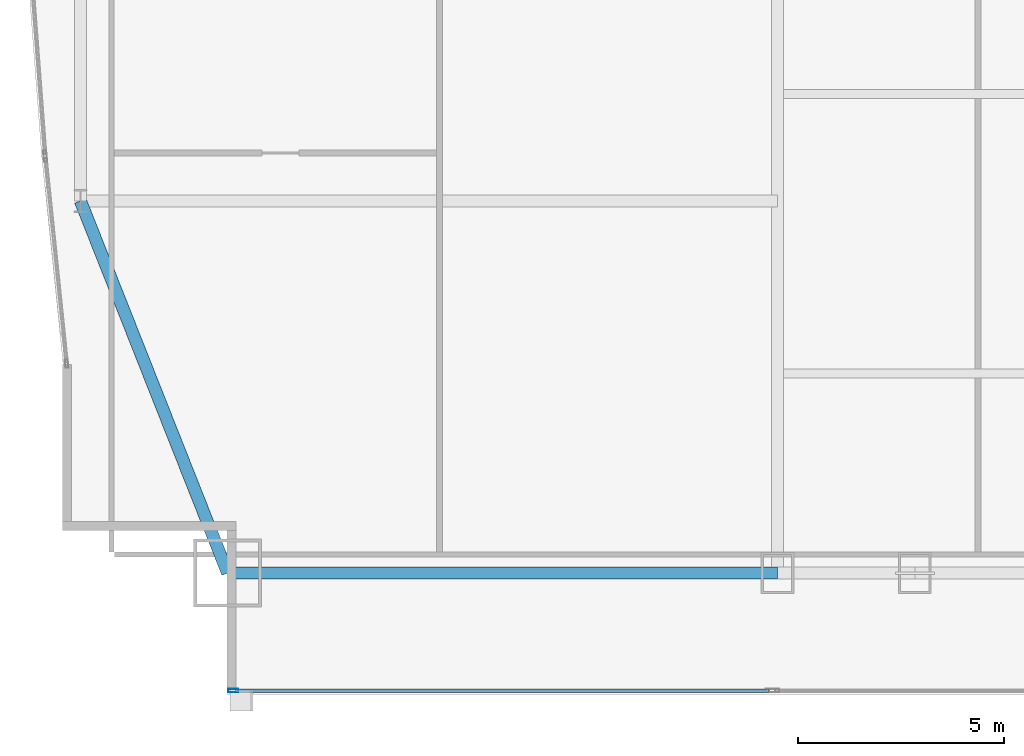
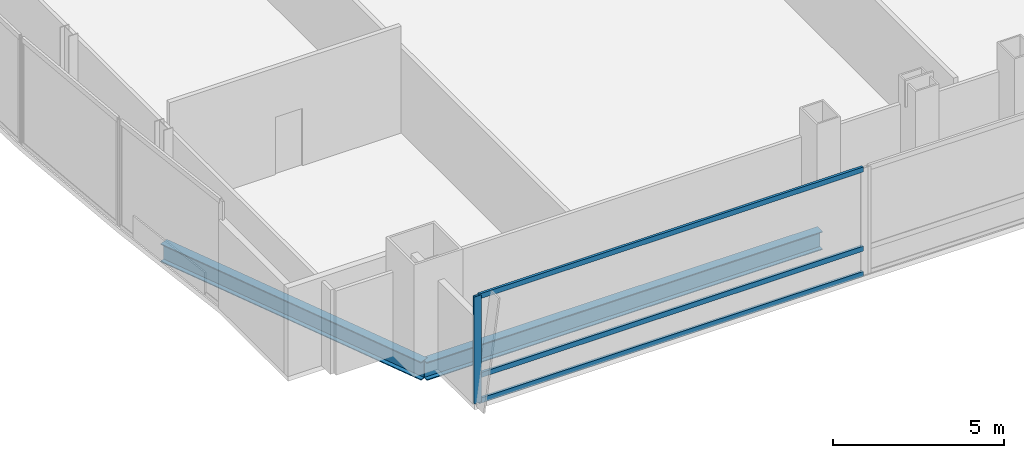
# One storey, part 5 of 33: 4 members, 2 beams, 1 element without a shape of its own.
"""IFC4 building model written with IfcOpenShell, lengths in metres."""

from ifc_helpers import new_model, si_unit, direction, frame, origin, origin_2d, place, context, subcontext, project, spatial, hollow_rectangle, i_section, extrude, material, material_profile, profile_set, type_object, element, aggregate, save


model = new_model("IFC4")

# Units and contexts
model_context = context("Model", 3, precision=1e-05, world=origin(), true_north=direction((0.0, 1.0)))
body_context = subcontext(model_context, "Body", "Model", "MODEL_VIEW")
ifc_project = project(units=[si_unit("LENGTHUNIT", "METRE"), si_unit("AREAUNIT", "SQUARE_METRE"), si_unit("VOLUMEUNIT", "CUBIC_METRE"), si_unit("PLANEANGLEUNIT", "RADIAN"), si_unit("MASSUNIT", "GRAM", prefix="KILO")], contexts=[model_context])

# Site, building, storey
site_placement = place(None, origin())
site = spatial("IfcSite", under=ifc_project, at=site_placement, CompositionType="ELEMENT")
building_placement = place(site_placement, origin())
building = spatial("IfcBuilding", under=site, at=building_placement, Name="Khoronbel Lancet Exchange", CompositionType="ELEMENT")
storey_placement = place(building_placement, frame((0.0, 0.0, 33.800048828125)))
storey = spatial("IfcBuildingStorey", under=building, at=storey_placement, Name="L07", CompositionType="ELEMENT", Elevation=33.800048828125)

# Beams
ifc_material_1 = material(Name="Steel S355", Category="steel")
ifc_material_profile_1 = material_profile(ifc_material_1, i_section(OverallWidth=0.300048828125, OverallDepth=0.64990234375, WebThickness=0.01611328125, FlangeThickness=0.031005859375, at=origin_2d()), Name="HEB 650")
ifc_profile_set_1 = profile_set([ifc_material_profile_1], Name="Steel S355")
beam_type = type_object("IfcBeamType", Name="BM-BSP1", PredefinedType="SPANDREL", material=ifc_profile_set_1)
beam_1_placement = place(storey_placement, frame((4.85009765625, 10.14990234375, -0.505126953125), z_axis=(1.0, 0.0, 0.0), x_axis=(0.0, 1.0, 0.0)))
element("IfcBeam", 1, at=beam_1_placement, inside=storey, type_object=beam_type, Name="Level L07 perimeter spandrel beam SP01", PredefinedType="SPANDREL", context=body_context, shape_type="SweptSolid", body=[
    extrude(i_section(OverallWidth=0.300048828125, OverallDepth=0.64990234375, WebThickness=0.01611328125, FlangeThickness=0.031005859375, at=origin_2d()), origin(), (0.0, 0.0, 1.0), 13.375),
])
beam_2_placement = place(storey_placement, frame((1.27001953125, 19.199951171875, -0.505126953125), z_axis=(0.367850095026, -0.92988510451, 0.0), x_axis=(0.92988510451, 0.367850095026, 0.0)))
element("IfcBeam", 2, at=beam_2_placement, inside=storey, type_object=beam_type, Name="Level L07 perimeter spandrel beam SP21", PredefinedType="SPANDREL", context=body_context, shape_type="SweptSolid", body=[
    extrude(i_section(OverallWidth=0.300048828125, OverallDepth=0.64990234375, WebThickness=0.01611328125, FlangeThickness=0.031005859375, at=origin_2d()), origin(), (0.0, 0.0, 1.0), 9.732421875),
])

# Curtain wall, members
ifc_material_2 = material(Name="Low-E Solar Control Insulating Glass", Category="glass")
curtain_wall_type = type_object("IfcCurtainWallType", Name="CW-1", PredefinedType="NOTDEFINED", material=ifc_material_2)
curtain_wall_placement = place(storey_placement, origin())
curtain_wall = element("IfcCurtainWall", 3, at=curtain_wall_placement, inside=storey, type_object=curtain_wall_type, Name="Unitised curtain wall CW-L07-SWV", PredefinedType="NOTDEFINED")
ifc_material_3 = material(Name="Bronze-Anodised Aluminium 6063-T6", Category="aluminium")
ifc_material_profile_2 = material_profile(ifc_material_3, hollow_rectangle(XDim=0.0849609375, YDim=0.239990234375, WallThickness=0.006103515625, at=origin_2d()), Name="ALU MULLION 85x240")
ifc_profile_set_2 = profile_set([ifc_material_profile_2], Name="Bronze-Anodised Aluminium 6063-T6")
member_type_1 = type_object("IfcMemberType", Name="MEM-CWM1", PredefinedType="MULLION", material=ifc_profile_set_2)
member_1_placement = place(storey_placement, frame((4.982421875, 7.2900390625, 0.0), z_axis=(0.0, 0.0, 1.0), x_axis=(0.0, 1.0, 0.0)))
member_1 = element("IfcMember", 4, at=member_1_placement, type_object=member_type_1, Name="CW1 mullion 1", PredefinedType="MULLION", context=body_context, shape_type="SweptSolid", body=[
    extrude(hollow_rectangle(XDim=0.0849609375, YDim=0.239990234375, WallThickness=0.006103515625, at=origin_2d()), origin(), (0.0, 0.0, 1.0), 3.820068359375),
])
ifc_material_profile_3 = material_profile(ifc_material_3, hollow_rectangle(XDim=0.0849609375, YDim=0.179931640625, WallThickness=0.0048828125, at=origin_2d()), Name="ALU TRANSOM 85x180")
ifc_profile_set_3 = profile_set([ifc_material_profile_3], Name="Bronze-Anodised Aluminium 6063-T6")
member_type_2 = type_object("IfcMemberType", Name="MEM-CWT1", PredefinedType="USERDEFINED", material=ifc_profile_set_3)
member_2_placement = place(storey_placement, frame((5.02490234375, 7.2900390625, 0.04248046875), z_axis=(1.0, 0.0, 0.0), x_axis=(0.0, 1.0, 0.0)))
member_2 = element("IfcMember", 5, at=member_2_placement, type_object=member_type_2, Name="CW1 transom 1.1", ObjectType="TRANSOM", PredefinedType="USERDEFINED", context=body_context, shape_type="SweptSolid", body=[
    extrude(hollow_rectangle(XDim=0.0849609375, YDim=0.179931640625, WallThickness=0.0048828125, at=origin_2d()), origin(), (0.0, 0.0, 1.0), 12.989990234375),
])
member_3_placement = place(storey_placement, frame((5.02490234375, 7.2900390625, 0.949951171875), z_axis=(1.0, 0.0, 0.0), x_axis=(0.0, 1.0, 0.0)))
member_3 = element("IfcMember", 6, at=member_3_placement, type_object=member_type_2, Name="CW1 transom 1.2", ObjectType="TRANSOM", PredefinedType="USERDEFINED", context=body_context, shape_type="SweptSolid", body=[
    extrude(hollow_rectangle(XDim=0.0849609375, YDim=0.179931640625, WallThickness=0.0048828125, at=origin_2d()), origin(), (0.0, 0.0, 1.0), 12.989990234375),
])
member_4_placement = place(storey_placement, frame((5.02490234375, 7.2900390625, 3.77734375), z_axis=(1.0, 0.0, 0.0), x_axis=(0.0, 1.0, 0.0)))
member_4 = element("IfcMember", 7, at=member_4_placement, type_object=member_type_2, Name="CW1 transom 1.3", ObjectType="TRANSOM", PredefinedType="USERDEFINED", context=body_context, shape_type="SweptSolid", body=[
    extrude(hollow_rectangle(XDim=0.0849609375, YDim=0.179931640625, WallThickness=0.0048828125, at=origin_2d()), origin(), (0.0, 0.0, 1.0), 12.989990234375),
])
aggregate(curtain_wall, [member_1, member_2, member_3, member_4])

save(model, "model.ifc")
